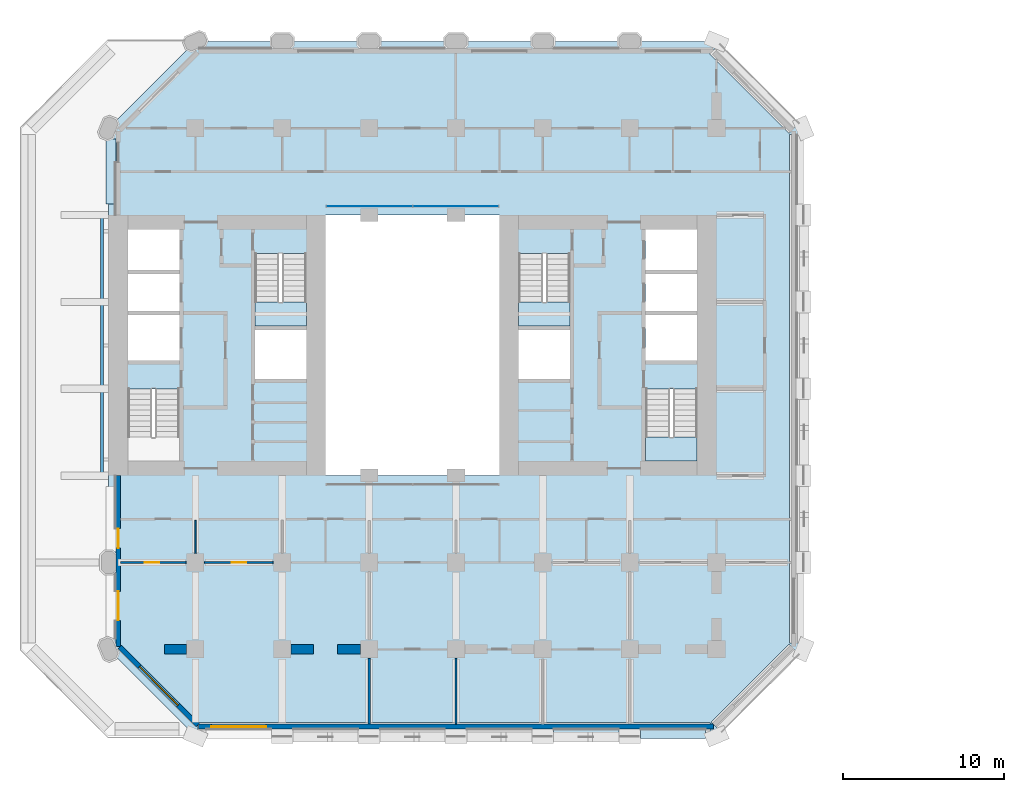
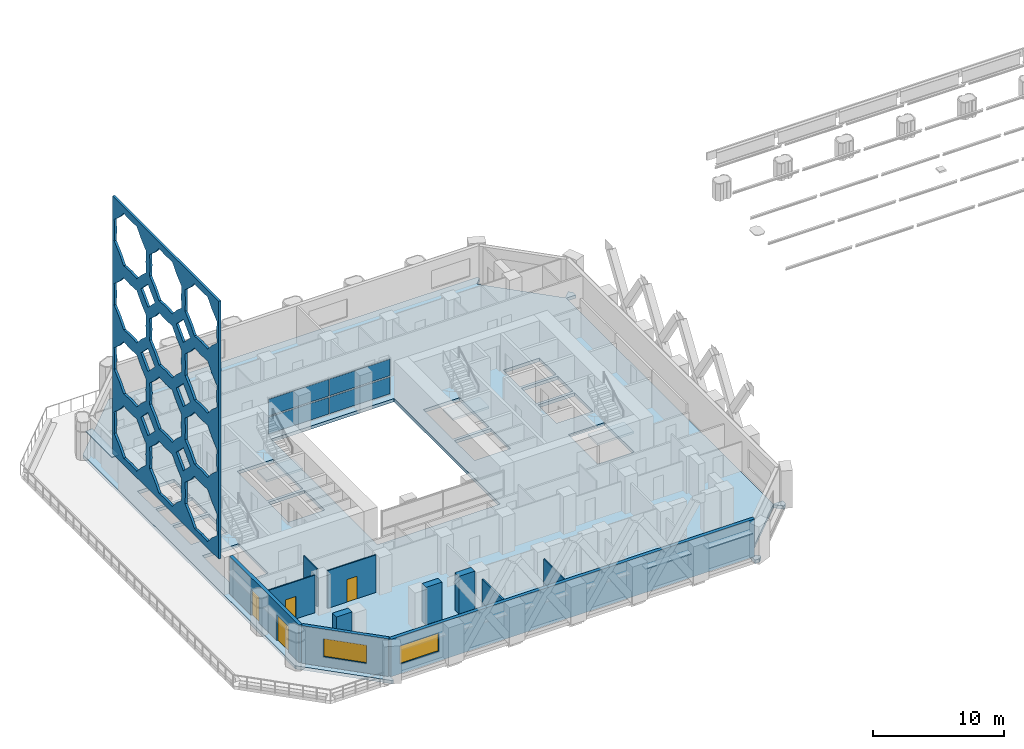
# One storey, part 6 of 14: 11 walls, 8 plates, 4 doors, 4 slabs, 2 windows, 6 openings, 4 elements without a shape of their own.
"""IFC4 building model written with IfcOpenShell, lengths in metres."""

from ifc_helpers import new_model, si_unit, direction, frame, frame_2d, origin, origin_2d, place, context, subcontext, project, spatial, polyline, rectangle, outline, extrude, material, layer, layer_set, type_object, element, fill, aggregate, save


model = new_model("IFC4")

# Units and contexts
model_context = context("Model", 3, precision=1e-05, world=origin(), true_north=direction((0.0, 1.0)))
body_context = subcontext(model_context, "Body", "Model", "MODEL_VIEW")
ifc_project = project(units=[si_unit("LENGTHUNIT", "METRE"), si_unit("AREAUNIT", "SQUARE_METRE"), si_unit("VOLUMEUNIT", "CUBIC_METRE"), si_unit("PLANEANGLEUNIT", "RADIAN"), si_unit("MASSUNIT", "GRAM", prefix="KILO")], contexts=[model_context])

# Site, building, storey
site_placement = place(None, origin())
site = spatial("IfcSite", under=ifc_project, at=site_placement, CompositionType="ELEMENT")
building_placement = place(site_placement, origin())
building = spatial("IfcBuilding", under=site, at=building_placement, Name="Tabaq Tower and Sports Hall", CompositionType="ELEMENT")
storey_placement = place(building_placement, frame((0.0, 0.0, 33.60009765625)))
storey = spatial("IfcBuildingStorey", under=building, at=storey_placement, Name="L06", CompositionType="ELEMENT", Elevation=33.60009765625)

# Curtain wall, plates
ifc_material_1 = material(Name="Aluminium alloy 6063-T6 framed glazing", Category="aluminium")
curtain_wall_type = type_object("IfcCurtainWallType", Name="CW1 curtain wall", PredefinedType="USERDEFINED", material=ifc_material_1)
curtain_wall_placement = place(storey_placement, origin())
curtain_wall = element("IfcCurtainWall", 1, at=curtain_wall_placement, inside=storey, type_object=curtain_wall_type, Name="Atrium glazing L06 N", ObjectType="ATRIUM ENCLOSURE", PredefinedType="USERDEFINED")
ifc_material_2 = material(Name="Clear low-emissivity glass 28 mm", Category="glass")
ifc_layer_1 = layer(ifc_material_2, 0.028076171875)
ifc_layer_set_1 = layer_set([ifc_layer_1], Name="CW1 glass panel 28")
plate_type_1 = type_object("IfcPlateType", Name="CW1 glass panel 28", PredefinedType="CURTAIN_PANEL", material=ifc_layer_set_1)
plate_1_placement = place(storey_placement, frame((21.614990234375, 32.949951171875, 0.139892578125), z_axis=(0.0, 0.0, 1.0), x_axis=(1.0, 0.0, 0.0)))
plate_1 = element("IfcPlate", 2, at=plate_1_placement, type_object=plate_type_1, Name="CW1 panel 1.1", PredefinedType="CURTAIN_PANEL", context=body_context, shape_type="SweptSolid", body=[
    extrude(rectangle(XDim=5.31005859375, YDim=0.028076171875, at=origin_2d()), origin(), (0.0, 0.0, 1.0), 1.5400390625),
])
plate_2_placement = place(storey_placement, frame((21.614990234375, 32.949951171875, 1.81982421875), z_axis=(0.0, 0.0, 1.0), x_axis=(1.0, 0.0, 0.0)))
plate_2 = element("IfcPlate", 3, at=plate_2_placement, type_object=plate_type_1, Name="CW1 panel 1.2", PredefinedType="CURTAIN_PANEL", context=body_context, shape_type="SweptSolid", body=[
    extrude(rectangle(XDim=5.31005859375, YDim=0.028076171875, at=origin_2d()), origin(), (0.0, 0.0, 1.0), 1.5400390625),
])
plate_3_placement = place(storey_placement, frame((26.985107421875, 32.949951171875, 0.139892578125), z_axis=(0.0, 0.0, 1.0), x_axis=(1.0, 0.0, 0.0)))
plate_3 = element("IfcPlate", 4, at=plate_3_placement, type_object=plate_type_1, Name="CW1 panel 2.1", PredefinedType="CURTAIN_PANEL", context=body_context, shape_type="SweptSolid", body=[
    extrude(rectangle(XDim=5.31005859375, YDim=0.028076171875, at=origin_2d()), origin(), (0.0, 0.0, 1.0), 1.5400390625),
])
plate_4_placement = place(storey_placement, frame((26.985107421875, 32.949951171875, 1.81982421875), z_axis=(0.0, 0.0, 1.0), x_axis=(1.0, 0.0, 0.0)))
plate_4 = element("IfcPlate", 5, at=plate_4_placement, type_object=plate_type_1, Name="CW1 panel 2.2", PredefinedType="CURTAIN_PANEL", context=body_context, shape_type="SweptSolid", body=[
    extrude(rectangle(XDim=5.31005859375, YDim=0.028076171875, at=origin_2d()), origin(), (0.0, 0.0, 1.0), 1.5400390625),
])
aggregate(curtain_wall, [plate_1, plate_2, plate_3, plate_4])

# Stair, slab
ifc_material_3 = material(Name="Concrete C40/50", Category="concrete")
stair_type = type_object("IfcStairType", Name="Exit stair", PredefinedType="HALF_TURN_STAIR", material=ifc_material_3)
stair_1_placement = place(storey_placement, origin())
stair_1 = element("IfcStair", 6, at=stair_1_placement, inside=storey, type_object=stair_type, Name="L06 Exit stair ST2", PredefinedType="HALF_TURN_STAIR")
ifc_material_4 = material(Name="Concrete C40/50", Category="concrete")
ifc_layer_2 = layer(ifc_material_4, 0.199951171875)
ifc_layer_set_2 = layer_set([ifc_layer_2], Name="Exit stair landing")
slab_type_1 = type_object("IfcSlabType", Name="Exit stair landing", PredefinedType="LANDING", material=ifc_layer_set_2)
slab_1_placement = place(storey_placement, frame((0.0, 0.0, 1.699951171875)))
slab_1 = element("IfcSlab", 7, at=slab_1_placement, type_object=slab_type_1, Name="ST2 landing 1", PredefinedType="LANDING", context=body_context, shape_type="SweptSolid", body=[
    extrude(outline(polyline([(14.5, 27.0), (14.5, 25.5), (17.699951171875, 25.5), (17.699951171875, 27.0), (14.5, 27.0)])), origin(), (0.0, 0.0, 1.0), 0.199951171875),
])
aggregate(stair_1, [slab_1])

stair_2_placement = place(storey_placement, origin())
stair_2 = element("IfcStair", 8, at=stair_2_placement, inside=storey, type_object=stair_type, Name="L06 Exit stair ST3", PredefinedType="HALF_TURN_STAIR")
slab_2_placement = place(storey_placement, frame((0.0, 0.0, 1.699951171875)))
slab_2 = element("IfcSlab", 9, at=slab_2_placement, type_object=slab_type_1, Name="ST3 landing 1", PredefinedType="LANDING", context=body_context, shape_type="SweptSolid", body=[
    extrude(outline(polyline([(38.800048828125, 18.60009765625), (38.800048828125, 17.10009765625), (42.0, 17.10009765625), (42.0, 18.60009765625), (38.800048828125, 18.60009765625)])), origin(), (0.0, 0.0, 1.0), 0.199951171875),
])
aggregate(stair_2, [slab_2])

stair_3_placement = place(storey_placement, origin())
stair_3 = element("IfcStair", 10, at=stair_3_placement, inside=storey, type_object=stair_type, Name="L06 Exit stair ST4", PredefinedType="HALF_TURN_STAIR")
slab_3_placement = place(storey_placement, frame((0.0, 0.0, 1.699951171875)))
slab_3 = element("IfcSlab", 11, at=slab_3_placement, type_object=slab_type_1, Name="ST4 landing 1", PredefinedType="LANDING", context=body_context, shape_type="SweptSolid", body=[
    extrude(outline(polyline([(30.89990234375, 27.0), (30.89990234375, 25.5), (34.10009765625, 25.5), (34.10009765625, 27.0), (30.89990234375, 27.0)])), origin(), (0.0, 0.0, 1.0), 0.199951171875),
])
aggregate(stair_3, [slab_3])

# Slab
ifc_material_5 = material(Name="Concrete C40/50", Category="concrete")
ifc_layer_3 = layer(ifc_material_5, 0.300048828125)
ifc_layer_set_3 = layer_set([ifc_layer_3], Name="PT FLOOR SLAB 300 C40/50")
slab_type_2 = type_object("IfcSlabType", Name="PT FLOOR SLAB 300 C40/50", PredefinedType="FLOOR", material=ifc_layer_set_3)
slab_4_placement = place(storey_placement, frame((0.0, 0.0, -0.300048828125)))
element("IfcSlab", 12, at=slab_4_placement, inside=storey, type_object=slab_type_2, Name="Floor Slab L06", PredefinedType="FLOOR", context=body_context, shape_type="SweptSolid", body=[
    extrude(outline(polyline([(5.39990234375, 37.800048828125), (5.39990234375, 5.39990234375), (10.800048828125, 0.0), (10.9619140625, 0.0), (10.9619140625, 0.75), (10.9619140625, 0.85009765625), (42.7978515625, 0.85009765625), (42.7978515625, 0.75), (42.7978515625, 0.0), (43.199951171875, 0.0), (43.484375, 0.284423828125), (42.88330078125, 0.88525390625), (47.714599609375, 5.716796875), (47.785400390625, 5.64599609375), (48.315673828125, 5.11572265625), (48.60009765625, 5.39990234375), (48.60009765625, 5.802001953125), (47.85009765625, 5.802001953125), (47.75, 5.802001953125), (47.75, 37.39794921875), (47.85009765625, 37.39794921875), (48.60009765625, 37.39794921875), (48.60009765625, 37.800048828125), (48.315673828125, 38.084228515625), (47.785400390625, 37.553955078125), (47.714599609375, 37.483154296875), (42.775634765625, 42.422119140625), (42.846435546875, 42.492919921875), (43.376708984375, 43.023193359375), (43.199951171875, 43.199951171875), (10.800048828125, 43.199951171875), (5.39990234375, 37.800048828125)]), holes=[polyline([(6.60009765625, 21.599365234375), (9.800048828125, 21.599365234375), (9.800048828125, 17.10009765625), (6.60009765625, 17.10009765625), (6.60009765625, 21.599365234375)]), polyline([(17.699951171875, 25.25), (17.699951171875, 22.199951171875), (14.5, 22.199951171875), (14.5, 25.25), (17.699951171875, 25.25)]), polyline([(18.89990234375, 32.39990234375), (29.699951171875, 32.39990234375), (29.699951171875, 16.199951171875), (18.89990234375, 16.199951171875), (18.89990234375, 32.39990234375)]), polyline([(6.60009765625, 26.175048828125), (9.800048828125, 26.175048828125), (9.800048828125, 23.35009765625), (6.60009765625, 23.35009765625), (6.60009765625, 26.175048828125)]), polyline([(9.800048828125, 28.72509765625), (9.800048828125, 26.425048828125), (6.60009765625, 26.425048828125), (6.60009765625, 28.72509765625), (9.800048828125, 28.72509765625)]), polyline([(17.699951171875, 29.99951171875), (17.699951171875, 25.5), (14.5, 25.5), (14.5, 29.99951171875), (17.699951171875, 29.99951171875)]), polyline([(6.60009765625, 31.5), (9.800048828125, 31.5), (9.800048828125, 28.97509765625), (6.60009765625, 28.97509765625), (6.60009765625, 31.5)]), polyline([(42.0, 21.599365234375), (42.0, 17.10009765625), (38.800048828125, 17.10009765625), (38.800048828125, 21.599365234375), (42.0, 21.599365234375)]), polyline([(34.10009765625, 25.25), (34.10009765625, 22.199951171875), (30.89990234375, 22.199951171875), (30.89990234375, 25.25), (34.10009765625, 25.25)]), polyline([(42.0, 26.175048828125), (42.0, 23.35009765625), (38.800048828125, 23.35009765625), (38.800048828125, 26.175048828125), (42.0, 26.175048828125)]), polyline([(42.0, 28.72509765625), (42.0, 26.425048828125), (38.800048828125, 26.425048828125), (38.800048828125, 28.72509765625), (42.0, 28.72509765625)]), polyline([(34.10009765625, 29.99951171875), (34.10009765625, 25.5), (30.89990234375, 25.5), (30.89990234375, 29.99951171875), (34.10009765625, 29.99951171875)]), polyline([(42.0, 31.5), (42.0, 28.97509765625), (38.800048828125, 28.97509765625), (38.800048828125, 31.5), (42.0, 31.5)])]), origin(), (0.0, 0.0, 1.0), 0.300048828125),
])

# Plates
ifc_material_6 = material(Name="White precast concrete C60/75 pierced screen", Category="concrete")
ifc_layer_4 = layer(ifc_material_6, 0.199951171875)
ifc_layer_set_4 = layer_set([ifc_layer_4], Name="White precast concrete C60/75 girih screen 200")
plate_type_2 = type_object("IfcPlateType", Name="White precast concrete C60/75 girih screen 200", PredefinedType="USERDEFINED", material=ifc_layer_set_4)
plate_5_placement = place(storey_placement, frame((5.0, 32.39990234375, 3.5498046875), z_axis=(0.0, 0.0, 1.0), x_axis=(0.0, -1.0, 0.0)))
element("IfcPlate", 13, at=plate_5_placement, inside=storey, type_object=plate_type_2, Name="Girih screen O1 W", ObjectType="SCREEN", PredefinedType="USERDEFINED", context=body_context, shape_type="SweptSolid", body=[
    extrude(outline(polyline([(0.0, 0.0), (16.199951171875, 0.0), (16.199951171875, 24.0), (0.0, 24.0), (0.0, 0.0)]), holes=[polyline([(5.134521484375, 4.046142578125), (4.376953125, 4.714599609375), (3.70849609375, 5.47216796875), (2.699951171875, 5.4091796875), (1.691650390625, 5.47216796875), (1.02294921875, 4.714599609375), (0.265380859375, 4.046142578125), (0.328369140625, 3.03759765625), (0.265380859375, 2.029052734375), (1.02294921875, 1.360595703125), (1.691650390625, 0.60302734375), (2.699951171875, 0.666015625), (3.70849609375, 0.60302734375), (4.376953125, 1.360595703125), (5.134521484375, 2.029052734375), (5.07177734375, 3.03759765625), (5.134521484375, 4.046142578125)]), polyline([(5.134521484375, 10.02099609375), (4.376953125, 10.689697265625), (3.70849609375, 11.447265625), (2.699951171875, 11.38427734375), (1.691650390625, 11.447265625), (1.02294921875, 10.689697265625), (0.265380859375, 10.02099609375), (0.328369140625, 9.0126953125), (0.265380859375, 8.004150390625), (1.02294921875, 7.33544921875), (1.691650390625, 6.577880859375), (2.699951171875, 6.640869140625), (3.70849609375, 6.577880859375), (4.376953125, 7.33544921875), (5.134521484375, 8.004150390625), (5.07177734375, 9.0126953125), (5.134521484375, 10.02099609375)]), polyline([(5.134521484375, 15.99609375), (4.376953125, 16.66455078125), (3.70849609375, 17.422119140625), (2.699951171875, 17.359375), (1.691650390625, 17.422119140625), (1.02294921875, 16.66455078125), (0.265380859375, 15.99609375), (0.328369140625, 14.987548828125), (0.265380859375, 13.979248046875), (1.02294921875, 13.310546875), (1.691650390625, 12.552978515625), (2.699951171875, 12.615966796875), (3.70849609375, 12.552978515625), (4.376953125, 13.310546875), (5.134521484375, 13.979248046875), (5.07177734375, 14.987548828125), (5.134521484375, 15.99609375)]), polyline([(5.134521484375, 21.970947265625), (4.376953125, 22.6396484375), (3.70849609375, 23.397216796875), (2.699951171875, 23.334228515625), (1.691650390625, 23.397216796875), (1.02294921875, 22.6396484375), (0.265380859375, 21.970947265625), (0.328369140625, 20.962646484375), (0.265380859375, 19.9541015625), (1.02294921875, 19.28564453125), (1.691650390625, 18.528076171875), (2.699951171875, 18.5908203125), (3.70849609375, 18.528076171875), (4.376953125, 19.28564453125), (5.134521484375, 19.9541015625), (5.07177734375, 20.962646484375), (5.134521484375, 21.970947265625)]), polyline([(10.53466796875, 4.046142578125), (9.777099609375, 4.714599609375), (9.1083984375, 5.47216796875), (8.10009765625, 5.4091796875), (7.091552734375, 5.47216796875), (6.4228515625, 4.714599609375), (5.665283203125, 4.046142578125), (5.728271484375, 3.03759765625), (5.665283203125, 2.029052734375), (6.4228515625, 1.360595703125), (7.091552734375, 0.60302734375), (8.10009765625, 0.666015625), (9.1083984375, 0.60302734375), (9.777099609375, 1.360595703125), (10.53466796875, 2.029052734375), (10.4716796875, 3.03759765625), (10.53466796875, 4.046142578125)]), polyline([(10.53466796875, 10.02099609375), (9.777099609375, 10.689697265625), (9.1083984375, 11.447265625), (8.10009765625, 11.38427734375), (7.091552734375, 11.447265625), (6.4228515625, 10.689697265625), (5.665283203125, 10.02099609375), (5.728271484375, 9.0126953125), (5.665283203125, 8.004150390625), (6.4228515625, 7.33544921875), (7.091552734375, 6.577880859375), (8.10009765625, 6.640869140625), (9.1083984375, 6.577880859375), (9.777099609375, 7.33544921875), (10.53466796875, 8.004150390625), (10.4716796875, 9.0126953125), (10.53466796875, 10.02099609375)]), polyline([(10.53466796875, 15.99609375), (9.777099609375, 16.66455078125), (9.1083984375, 17.422119140625), (8.10009765625, 17.359375), (7.091552734375, 17.422119140625), (6.4228515625, 16.66455078125), (5.665283203125, 15.99609375), (5.728271484375, 14.987548828125), (5.665283203125, 13.979248046875), (6.4228515625, 13.310546875), (7.091552734375, 12.552978515625), (8.10009765625, 12.615966796875), (9.1083984375, 12.552978515625), (9.777099609375, 13.310546875), (10.53466796875, 13.979248046875), (10.4716796875, 14.987548828125), (10.53466796875, 15.99609375)]), polyline([(10.53466796875, 21.970947265625), (9.777099609375, 22.6396484375), (9.1083984375, 23.397216796875), (8.10009765625, 23.334228515625), (7.091552734375, 23.397216796875), (6.4228515625, 22.6396484375), (5.665283203125, 21.970947265625), (5.728271484375, 20.962646484375), (5.665283203125, 19.9541015625), (6.4228515625, 19.28564453125), (7.091552734375, 18.528076171875), (8.10009765625, 18.5908203125), (9.1083984375, 18.528076171875), (9.777099609375, 19.28564453125), (10.53466796875, 19.9541015625), (10.4716796875, 20.962646484375), (10.53466796875, 21.970947265625)]), polyline([(15.9345703125, 4.046142578125), (15.177001953125, 4.714599609375), (14.508544921875, 5.47216796875), (13.5, 5.4091796875), (12.491455078125, 5.47216796875), (11.822998046875, 4.714599609375), (11.0654296875, 4.046142578125), (11.12841796875, 3.03759765625), (11.0654296875, 2.029052734375), (11.822998046875, 1.360595703125), (12.491455078125, 0.60302734375), (13.5, 0.666015625), (14.508544921875, 0.60302734375), (15.177001953125, 1.360595703125), (15.9345703125, 2.029052734375), (15.87158203125, 3.03759765625), (15.9345703125, 4.046142578125)]), polyline([(15.9345703125, 10.02099609375), (15.177001953125, 10.689697265625), (14.508544921875, 11.447265625), (13.5, 11.38427734375), (12.491455078125, 11.447265625), (11.822998046875, 10.689697265625), (11.0654296875, 10.02099609375), (11.12841796875, 9.0126953125), (11.0654296875, 8.004150390625), (11.822998046875, 7.33544921875), (12.491455078125, 6.577880859375), (13.5, 6.640869140625), (14.508544921875, 6.577880859375), (15.177001953125, 7.33544921875), (15.9345703125, 8.004150390625), (15.87158203125, 9.0126953125), (15.9345703125, 10.02099609375)]), polyline([(15.9345703125, 15.99609375), (15.177001953125, 16.66455078125), (14.508544921875, 17.422119140625), (13.5, 17.359375), (12.491455078125, 17.422119140625), (11.822998046875, 16.66455078125), (11.0654296875, 15.99609375), (11.12841796875, 14.987548828125), (11.0654296875, 13.979248046875), (11.822998046875, 13.310546875), (12.491455078125, 12.552978515625), (13.5, 12.615966796875), (14.508544921875, 12.552978515625), (15.177001953125, 13.310546875), (15.9345703125, 13.979248046875), (15.87158203125, 14.987548828125), (15.9345703125, 15.99609375)]), polyline([(15.9345703125, 21.970947265625), (15.177001953125, 22.6396484375), (14.508544921875, 23.397216796875), (13.5, 23.334228515625), (12.491455078125, 23.397216796875), (11.822998046875, 22.6396484375), (11.0654296875, 21.970947265625), (11.12841796875, 20.962646484375), (11.0654296875, 19.9541015625), (11.822998046875, 19.28564453125), (12.491455078125, 18.528076171875), (13.5, 18.5908203125), (14.508544921875, 18.528076171875), (15.177001953125, 19.28564453125), (15.9345703125, 19.9541015625), (15.87158203125, 20.962646484375), (15.9345703125, 21.970947265625)]), polyline([(6.47998046875, 6.025146484375), (5.39990234375, 7.10498046875), (4.320068359375, 6.025146484375), (5.39990234375, 4.945068359375), (6.47998046875, 6.025146484375)]), polyline([(6.47998046875, 12.0), (5.39990234375, 13.080078125), (4.320068359375, 12.0), (5.39990234375, 10.920166015625), (6.47998046875, 12.0)]), polyline([(6.47998046875, 17.97509765625), (5.39990234375, 19.05517578125), (4.320068359375, 17.97509765625), (5.39990234375, 16.89501953125), (6.47998046875, 17.97509765625)]), polyline([(11.8798828125, 6.025146484375), (10.800048828125, 7.10498046875), (9.719970703125, 6.025146484375), (10.800048828125, 4.945068359375), (11.8798828125, 6.025146484375)]), polyline([(11.8798828125, 12.0), (10.800048828125, 13.080078125), (9.719970703125, 12.0), (10.800048828125, 10.920166015625), (11.8798828125, 12.0)]), polyline([(11.8798828125, 17.97509765625), (10.800048828125, 19.05517578125), (9.719970703125, 17.97509765625), (10.800048828125, 16.89501953125), (11.8798828125, 17.97509765625)])]), frame((0.0, 0.10009765625, 0.0), z_axis=(0.0, -1.0, 0.0), x_axis=(1.0, 0.0, 0.0)), (0.0, 0.0, 1.0), 0.199951171875),
])
ifc_material_7 = material(Name="White precast concrete C60/75 blade", Category="concrete")
ifc_layer_5 = layer(ifc_material_7, 0.10009765625)
ifc_layer_set_5 = layer_set([ifc_layer_5], Name="White precast concrete C60/75 sunshade 100")
plate_type_3 = type_object("IfcPlateType", Name="White precast concrete C60/75 sunshade 100", PredefinedType="USERDEFINED", material=ifc_layer_set_5)
for number, where, z_axis, x_axis, name in (
    (14, (35.10009765625, 0.14990234375, 2.599853515625), (0.0, 0.0, 1.0), (1.0, 0.0, 0.0), "Sunshade L06 S"),
    (15, (40.5, 0.14990234375, 2.599853515625), (0.0, 0.0, 1.0), (1.0, 0.0, 0.0), "Sunshade L06 S"),
    (16, (5.550048828125, 35.10009765625, 2.599853515625), (0.0, 0.0, 1.0), (0.0, -1.0, 0.0), "Sunshade L06 W"),
):
    element("IfcPlate", number, at=place(storey_placement, frame(where, z_axis=z_axis, x_axis=x_axis)), inside=storey, type_object=plate_type_3, Name=name, ObjectType="SUNSHADE", PredefinedType="USERDEFINED", context=body_context, shape_type="SweptSolid", body=[
        extrude(rectangle(XDim=4.050048828125, YDim=0.60009765625, at=origin_2d()), origin(), (0.0, 0.0, 1.0), 0.10009765625),
    ])

# Wall, opening, door
ifc_material_8 = material(Name="Gypsum board on steel studs", Category="steel")
ifc_layer_6 = layer(ifc_material_8, 0.10009765625)
ifc_layer_set_6 = layer_set([ifc_layer_6], Name="Partition 100 Gypsum board")
wall_type_1 = type_object("IfcWallType", Name="Partition 100 Gypsum board", PredefinedType="PARTITIONING", material=ifc_layer_set_6)
wall_1_placement = place(storey_placement, frame((6.15087890625, 10.800048828125, 0.0), z_axis=(0.0, 0.0, 1.0), x_axis=(1.0, 0.0, 0.0)))
wall_1 = element("IfcWall", 17, at=wall_1_placement, inside=storey, type_object=wall_type_1, Name="Partition wall L06", PredefinedType="PARTITIONING", context=body_context, shape_type="SweptSolid", body=[
    extrude(rectangle(XDim=4.0791015625, YDim=0.10009765625, at=frame_2d((2.03955078125, 0.0))), origin(), (0.0, 0.0, 1.0), 3.5),
])
opening_1_placement = place(wall_1_placement, frame((1.4990234375, 0.0, 0.0)))
opening_1 = element("IfcOpeningElement", 18, at=opening_1_placement, cuts=wall_1, Name="Opening L06-028", PredefinedType="OPENING", context=body_context, shape_type="SweptSolid", body=[
    extrude(rectangle(XDim=0.89990234375, YDim=2.10009765625, at=frame_2d((0.449951171875, 1.050048828125))), frame((0.0, 0.050048828125, 0.0), z_axis=(0.0, -1.0, 0.0), x_axis=(1.0, 0.0, 0.0)), (0.0, 0.0, 1.0), 0.10009765625),
])
ifc_material_9 = material(Name="Timber leaf in steel frame", Category="steel")
door_type_1 = type_object("IfcDoorType", Name="Internal door 900 right hand", OperationType="SINGLE_SWING_RIGHT", PredefinedType="DOOR", material=ifc_material_9)
door_1_placement = place(opening_1_placement, origin())
door_1 = element("IfcDoor", 19, at=door_1_placement, inside=storey, type_object=door_type_1, Name="Internal door L06-028", OperationType="SINGLE_SWING_RIGHT", OverallHeight=2.10009765625, OverallWidth=0.89990234375, PredefinedType="DOOR", context=body_context, shape_type="SweptSolid", body=[
    extrude(rectangle(XDim=0.89990234375, YDim=2.10009765625, at=frame_2d((0.449951171875, 1.050048828125))), frame((0.0, 0.02490234375, 0.0), z_axis=(0.0, -1.0, 0.0), x_axis=(1.0, 0.0, 0.0)), (0.0, 0.0, 1.0), 0.050048828125),
])
fill(opening_1, door_1)

# Wall
wall_2_placement = place(storey_placement, frame((10.800048828125, 11.3701171875, 0.0), z_axis=(0.0, 0.0, 1.0), x_axis=(0.0, 1.0, 0.0)))
element("IfcWall", 20, at=wall_2_placement, inside=storey, type_object=wall_type_1, Name="Partition wall L06", PredefinedType="PARTITIONING", context=body_context, shape_type="SweptSolid", body=[
    extrude(rectangle(XDim=2.054931640625, YDim=0.10009765625, at=frame_2d((1.02734375, 0.0))), origin(), (0.0, 0.0, 1.0), 3.5),
])

# Wall, opening, door
wall_3_placement = place(storey_placement, frame((11.3701171875, 10.800048828125, 0.0), z_axis=(0.0, 0.0, 1.0), x_axis=(1.0, 0.0, 0.0)))
wall_3 = element("IfcWall", 21, at=wall_3_placement, inside=storey, type_object=wall_type_1, Name="Partition wall L06", PredefinedType="PARTITIONING", context=body_context, shape_type="SweptSolid", body=[
    extrude(rectangle(XDim=4.259765625, YDim=0.10009765625, at=frame_2d((2.1298828125, 0.0))), origin(), (0.0, 0.0, 1.0), 3.5),
])
opening_2_placement = place(wall_3_placement, frame((1.679931640625, 0.0, 0.0)))
opening_2 = element("IfcOpeningElement", 22, at=opening_2_placement, cuts=wall_3, Name="Opening L06-017", PredefinedType="OPENING", context=body_context, shape_type="SweptSolid", body=[
    extrude(rectangle(XDim=0.89990234375, YDim=2.10009765625, at=frame_2d((0.449951171875, 1.050048828125))), frame((0.0, 0.050048828125, 0.0), z_axis=(0.0, -1.0, 0.0), x_axis=(1.0, 0.0, 0.0)), (0.0, 0.0, 1.0), 0.10009765625),
])
ifc_material_10 = material(Name="Timber leaf in steel frame", Category="steel")
door_type_2 = type_object("IfcDoorType", Name="Internal door 900 left hand", OperationType="SINGLE_SWING_LEFT", PredefinedType="DOOR", material=ifc_material_10)
door_2_placement = place(opening_2_placement, origin())
door_2 = element("IfcDoor", 23, at=door_2_placement, inside=storey, type_object=door_type_2, Name="Internal door L06-017", OperationType="SINGLE_SWING_LEFT", OverallHeight=2.10009765625, OverallWidth=0.89990234375, PredefinedType="DOOR", context=body_context, shape_type="SweptSolid", body=[
    extrude(rectangle(XDim=0.89990234375, YDim=2.10009765625, at=frame_2d((0.449951171875, 1.050048828125))), frame((0.0, 0.02490234375, 0.0), z_axis=(0.0, -1.0, 0.0), x_axis=(1.0, 0.0, 0.0)), (0.0, 0.0, 1.0), 0.050048828125),
])
fill(opening_2, door_2)

# Walls
wall_4_placement = place(storey_placement, frame((27.0, 4.830078125, 0.0), z_axis=(0.0, 0.0, 1.0), x_axis=(0.0, -1.0, 0.0)))
element("IfcWall", 24, at=wall_4_placement, inside=storey, type_object=wall_type_1, Name="Partition wall L06", PredefinedType="PARTITIONING", context=body_context, shape_type="SweptSolid", body=[
    extrude(rectangle(XDim=4.0791015625, YDim=0.10009765625, at=frame_2d((2.03955078125, 0.0))), origin(), (0.0, 0.0, 1.0), 2.75),
])
ifc_material_11 = material(Name="Concrete C60/75", Category="concrete")
ifc_layer_7 = layer(ifc_material_11, 0.60009765625)
ifc_layer_set_7 = layer_set([ifc_layer_7], Name="RC TRANSFER WALL 600 C60/75")
wall_type_2 = type_object("IfcWallType", Name="RC TRANSFER WALL 600 C60/75", PredefinedType="SHEAR", material=ifc_layer_set_7)
wall_5_placement = place(storey_placement, frame((8.868896484375, 5.39990234375, 0.0), z_axis=(0.0, 0.0, 1.0), x_axis=(1.0, 0.0, 0.0)))
element("IfcWall", 25, at=wall_5_placement, inside=storey, type_object=wall_type_2, Name="Transfer Wall L06 South 6", PredefinedType="SHEAR", context=body_context, shape_type="SweptSolid", body=[
    extrude(rectangle(XDim=1.381103515625, YDim=0.60009765625, at=frame_2d((0.6904296875, 0.0))), origin(), (0.0, 0.0, 1.0), 3.5),
])
wall_6_placement = place(storey_placement, frame((16.75, 5.39990234375, 0.0), z_axis=(0.0, 0.0, 1.0), x_axis=(1.0, 0.0, 0.0)))
element("IfcWall", 26, at=wall_6_placement, inside=storey, type_object=wall_type_2, Name="Transfer Wall L06 South 7", PredefinedType="SHEAR", context=body_context, shape_type="SweptSolid", body=[
    extrude(rectangle(XDim=1.39990234375, YDim=0.60009765625, at=frame_2d((0.699951171875, 0.0))), origin(), (0.0, 0.0, 1.0), 3.5),
])
wall_7_placement = place(storey_placement, frame((19.64990234375, 5.39990234375, 0.0), z_axis=(0.0, 0.0, 1.0), x_axis=(1.0, 0.0, 0.0)))
element("IfcWall", 27, at=wall_7_placement, inside=storey, type_object=wall_type_2, Name="Transfer Wall L06 South 8", PredefinedType="SHEAR", context=body_context, shape_type="SweptSolid", body=[
    extrude(rectangle(XDim=1.400146484375, YDim=0.60009765625, at=frame_2d((0.7001953125, 0.0))), origin(), (0.0, 0.0, 1.0), 3.5),
])
ifc_material_12 = material(Name="Blockwork", Category="masonry")
ifc_layer_8 = layer(ifc_material_12, 0.14990234375)
ifc_layer_set_8 = layer_set([ifc_layer_8], Name="Separating wall 150 Blockwork")
wall_type_3 = type_object("IfcWallType", Name="Separating wall 150 Blockwork", PredefinedType="PARTITIONING", material=ifc_layer_set_8)
wall_8_placement = place(storey_placement, frame((21.60009765625, 4.830078125, 0.0), z_axis=(0.0, 0.0, 1.0), x_axis=(0.0, -1.0, 0.0)))
element("IfcWall", 28, at=wall_8_placement, inside=storey, type_object=wall_type_3, Name="Separating wall L06", PredefinedType="PARTITIONING", context=body_context, shape_type="SweptSolid", body=[
    extrude(rectangle(XDim=4.0791015625, YDim=0.14990234375, at=frame_2d((2.03955078125, 0.0))), origin(), (0.0, 0.0, 1.0), 2.75),
])

# Wall, opening, window
ifc_material_13 = material(Name="White precast concrete C60/75", Category="concrete")
ifc_layer_9 = layer(ifc_material_13, 0.300048828125)
ifc_layer_set_9 = layer_set([ifc_layer_9], Name="White precast concrete C60/75 external wall 300")
wall_type_4 = type_object("IfcWallType", Name="White precast concrete C60/75 external wall 300", PredefinedType="SOLIDWALL", material=ifc_layer_set_9)
wall_9_placement = place(storey_placement, frame((10.986328125, 0.60009765625, 0.0), z_axis=(0.0, 0.0, 1.0), x_axis=(1.0, 0.0, 0.0)))
wall_9 = element("IfcWall", 29, at=wall_9_placement, inside=storey, type_object=wall_type_4, Name="External Wall L06 S", PredefinedType="SOLIDWALL", context=body_context, shape_type="SweptSolid", body=[
    extrude(rectangle(XDim=32.02734375, YDim=0.300048828125, at=frame_2d((16.013671875, 0.0))), origin(), (0.0, 0.0, 1.0), 3.5),
])
opening_3_placement = place(wall_9_placement, frame((0.813720703125, 0.0, 0.89990234375)))
opening_3 = element("IfcOpeningElement", 30, at=opening_3_placement, cuts=wall_9, Name="Opening W1A", PredefinedType="OPENING", context=body_context, shape_type="SweptSolid", body=[
    extrude(rectangle(XDim=3.39990234375, YDim=1.699951171875, at=frame_2d((1.699951171875, 0.85009765625))), frame((0.0, 0.16015625, 0.0), z_axis=(0.0, -1.0, 0.0), x_axis=(1.0, 0.0, 0.0)), (0.0, 0.0, 1.0), 0.320068359375),
])
ifc_material_14 = material(Name="Aluminium framed clear glazing", Category="aluminium")
window_type = type_object("IfcWindowType", Name="Window W1A", PartitioningType="SINGLE_PANEL", PredefinedType="WINDOW", material=ifc_material_14)
window_1_placement = place(opening_3_placement, origin())
window_1 = element("IfcWindow", 31, at=window_1_placement, inside=storey, type_object=window_type, Name="Window W1A L06", OverallHeight=1.699951171875, OverallWidth=3.39990234375, PartitioningType="SINGLE_PANEL", PredefinedType="WINDOW", context=body_context, shape_type="SweptSolid", body=[
    extrude(rectangle(XDim=3.39990234375, YDim=1.699951171875, at=frame_2d((1.699951171875, 0.85009765625))), frame((0.0, 0.030029296875, 0.0), z_axis=(0.0, -1.0, 0.0), x_axis=(1.0, 0.0, 0.0)), (0.0, 0.0, 1.0), 0.06005859375),
])
fill(opening_3, window_1)

# Wall, openings, doors
wall_10_placement = place(storey_placement, frame((6.0, 16.199951171875, 0.0), z_axis=(0.0, 0.0, 1.0), x_axis=(0.0, -1.0, 0.0)))
wall_10 = element("IfcWall", 32, at=wall_10_placement, inside=storey, type_object=wall_type_4, Name="External Wall L06 W", PredefinedType="SOLIDWALL", context=body_context, shape_type="SweptSolid", body=[
    extrude(rectangle(XDim=10.613525390625, YDim=0.300048828125, at=frame_2d((5.306640625, 0.0))), origin(), (0.0, 0.0, 1.0), 3.5),
])
opening_4_placement = place(wall_10_placement, frame((3.300048828125, 0.0, 0.0)))
opening_4 = element("IfcOpeningElement", 33, at=opening_4_placement, cuts=wall_10, Name="Opening TD0602", PredefinedType="OPENING", context=body_context, shape_type="SweptSolid", body=[
    extrude(rectangle(XDim=1.199951171875, YDim=2.39990234375, at=frame_2d((0.60009765625, 1.199951171875))), frame((0.0, 0.16015625, 0.0), z_axis=(0.0, -1.0, 0.0), x_axis=(1.0, 0.0, 0.0)), (0.0, 0.0, 1.0), 0.320068359375),
])
opening_5_placement = place(wall_10_placement, frame((7.199951171875, 0.0, 0.0)))
opening_5 = element("IfcOpeningElement", 34, at=opening_5_placement, cuts=wall_10, Name="Opening TD0603", PredefinedType="OPENING", context=body_context, shape_type="SweptSolid", body=[
    extrude(rectangle(XDim=1.800048828125, YDim=2.39990234375, at=frame_2d((0.89990234375, 1.199951171875))), frame((0.0, 0.16015625, 0.0), z_axis=(0.0, -1.0, 0.0), x_axis=(1.0, 0.0, 0.0)), (0.0, 0.0, 1.0), 0.320068359375),
])
ifc_material_15 = material(Name="Aluminium framed clear glazing", Category="aluminium")
door_type_3 = type_object("IfcDoorType", Name="Terrace door TD1", OperationType="DOUBLE_DOOR_DOUBLE_SWING", PredefinedType="DOOR", material=ifc_material_15)
door_3_placement = place(opening_5_placement, origin())
door_3 = element("IfcDoor", 35, at=door_3_placement, inside=storey, type_object=door_type_3, Name="Terrace door TD0603", OperationType="DOUBLE_DOOR_DOUBLE_SWING", OverallHeight=2.39990234375, OverallWidth=1.800048828125, PredefinedType="DOOR", context=body_context, shape_type="SweptSolid", body=[
    extrude(rectangle(XDim=1.800048828125, YDim=2.39990234375, at=frame_2d((0.89990234375, 1.199951171875))), frame((0.0, 0.02490234375, 0.0), z_axis=(0.0, -1.0, 0.0), x_axis=(1.0, 0.0, 0.0)), (0.0, 0.0, 1.0), 0.050048828125),
])
fill(opening_5, door_3)
ifc_material_16 = material(Name="Aluminium framed clear glazing", Category="aluminium")
door_type_4 = type_object("IfcDoorType", Name="Terrace door TD2", OperationType="SINGLE_SWING_LEFT", PredefinedType="DOOR", material=ifc_material_16)
door_4_placement = place(opening_4_placement, origin())
door_4 = element("IfcDoor", 36, at=door_4_placement, inside=storey, type_object=door_type_4, Name="Terrace door TD0602", OperationType="SINGLE_SWING_LEFT", OverallHeight=2.39990234375, OverallWidth=1.199951171875, PredefinedType="DOOR", context=body_context, shape_type="SweptSolid", body=[
    extrude(rectangle(XDim=1.199951171875, YDim=2.39990234375, at=frame_2d((0.60009765625, 1.199951171875))), frame((0.0, 0.02490234375, 0.0), z_axis=(0.0, -1.0, 0.0), x_axis=(1.0, 0.0, 0.0)), (0.0, 0.0, 1.0), 0.050048828125),
])
fill(opening_4, door_4)

# Wall, opening, window
wall_11_placement = place(storey_placement, frame((6.098876953125, 5.549560546875, 0.0), z_axis=(0.0, 0.0, 1.0), x_axis=(0.707106781187, -0.707106781187, 0.0)))
wall_11 = element("IfcWall", 37, at=wall_11_placement, inside=storey, type_object=wall_type_4, Name="External Wall L06 SW", PredefinedType="SOLIDWALL", context=body_context, shape_type="SweptSolid", body=[
    extrude(rectangle(XDim=6.85986328125, YDim=0.300048828125, at=frame_2d((3.429931640625, 0.0))), origin(), (0.0, 0.0, 1.0), 3.5),
])
opening_6_placement = place(wall_11_placement, frame((1.729736328125, 0.0, 0.89990234375)))
opening_6 = element("IfcOpeningElement", 38, at=opening_6_placement, cuts=wall_11, Name="Opening W1A", PredefinedType="OPENING", context=body_context, shape_type="SweptSolid", body=[
    extrude(rectangle(XDim=3.39990234375, YDim=1.699951171875, at=frame_2d((1.699951171875, 0.85009765625))), frame((0.0, 0.16015625, 0.0), z_axis=(0.0, -1.0, 0.0), x_axis=(1.0, 0.0, 0.0)), (0.0, 0.0, 1.0), 0.320068359375),
])
window_2_placement = place(opening_6_placement, origin())
window_2 = element("IfcWindow", 39, at=window_2_placement, inside=storey, type_object=window_type, Name="Window W1A L06", OverallHeight=1.699951171875, OverallWidth=3.39990234375, PartitioningType="SINGLE_PANEL", PredefinedType="WINDOW", context=body_context, shape_type="SweptSolid", body=[
    extrude(rectangle(XDim=3.39990234375, YDim=1.699951171875, at=frame_2d((1.699951171875, 0.85009765625))), frame((0.0, 0.030029296875, 0.0), z_axis=(0.0, -1.0, 0.0), x_axis=(1.0, 0.0, 0.0)), (0.0, 0.0, 1.0), 0.06005859375),
])
fill(opening_6, window_2)

save(model, "model.ifc")
